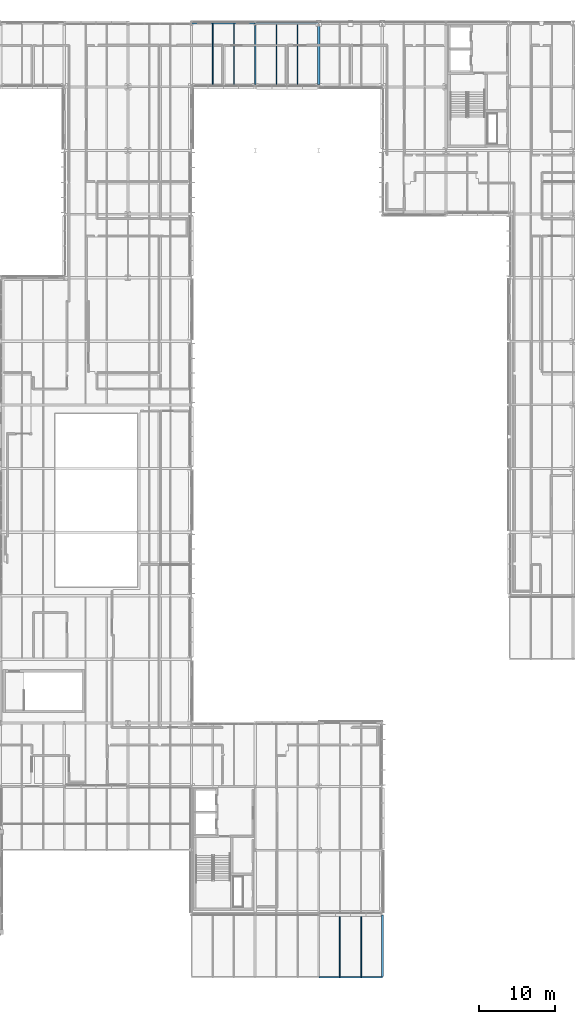
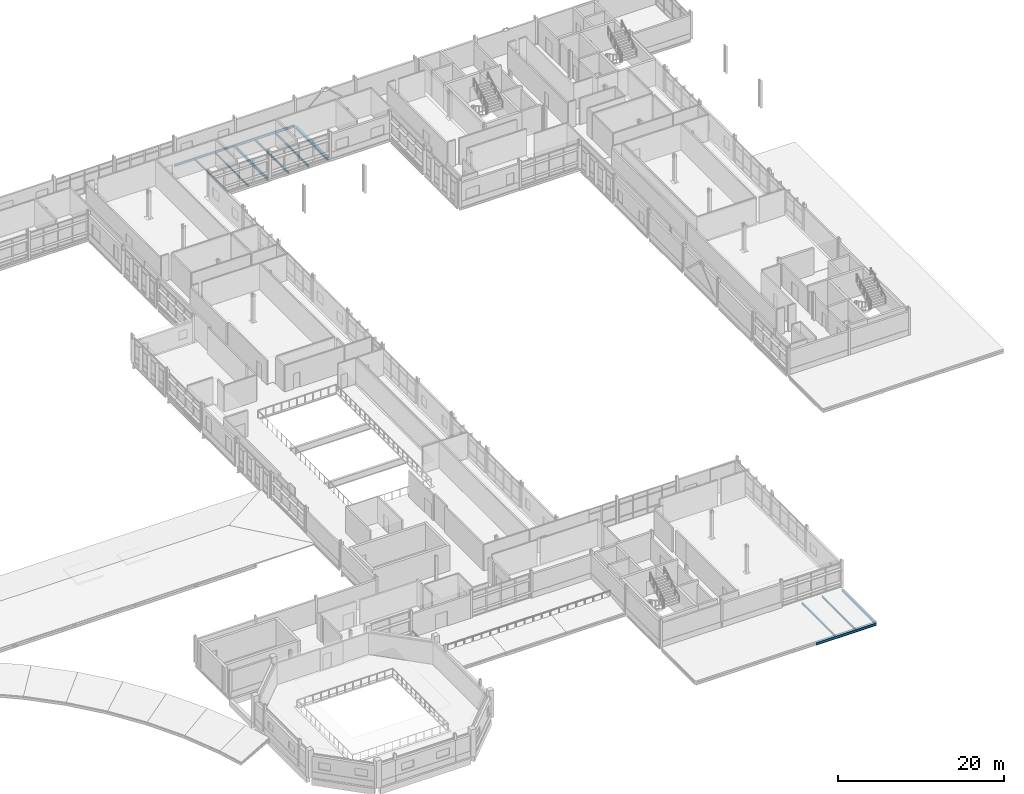
# One storey, part 86 of 151: 12 beams.
"""IFC4 building model written with IfcOpenShell, lengths in metres."""

from ifc_helpers import new_model, si_unit, direction, frame, origin, origin_2d, place, context, subcontext, project, spatial, i_section, extrude, material, material_profile, profile_set, type_object, element, save


model = new_model("IFC4")

# Units and contexts
model_context = context("Model", 3, precision=1e-05, world=origin(), true_north=direction((0.0, 1.0)))
body_context = subcontext(model_context, "Body", "Model", "MODEL_VIEW")
ifc_project = project(units=[si_unit("LENGTHUNIT", "METRE"), si_unit("AREAUNIT", "SQUARE_METRE"), si_unit("VOLUMEUNIT", "CUBIC_METRE"), si_unit("PLANEANGLEUNIT", "RADIAN"), si_unit("MASSUNIT", "GRAM", prefix="KILO")], contexts=[model_context])

# Site, building, storey
site_placement = place(None, origin())
site = spatial("IfcSite", under=ifc_project, at=site_placement, CompositionType="ELEMENT")
building_placement = place(site_placement, origin())
building = spatial("IfcBuilding", under=site, at=building_placement, Name="Mersafa Astral City Hall", CompositionType="ELEMENT")
storey_placement = place(building_placement, frame((0.0, 0.0, 9.89990234375)))
storey = spatial("IfcBuildingStorey", under=building, at=storey_placement, Name="L02", CompositionType="ELEMENT", Elevation=9.89990234375)

# Beams
ifc_material = material(Name="Steel S355", Category="steel")
ifc_material_profile_1 = material_profile(ifc_material, i_section(OverallWidth=0.300048828125, OverallDepth=0.35009765625, WebThickness=0.010009765625, FlangeThickness=0.017578125, FilletRadius=0.027099609375, at=origin_2d()), Name="HEA 360")
ifc_profile_set_1 = profile_set([ifc_material_profile_1], Name="Steel S355")
beam_type_1 = type_object("IfcBeamType", Name="STR-BM-HEA360", PredefinedType="BEAM", material=ifc_profile_set_1)
beam_1_placement = place(storey_placement, frame((134.39990234375, 117.89501953125, -0.375), z_axis=(0.0, 1.0, 0.0), x_axis=(-1.0, 0.0, 0.0)))
element("IfcBeam", 1, at=beam_1_placement, inside=storey, type_object=beam_type_1, Name="L02 Primary girder Y 16-14", PredefinedType="BEAM", context=body_context, shape_type="SweptSolid", body=[
    extrude(i_section(OverallWidth=0.300048828125, OverallDepth=0.35009765625, WebThickness=0.010009765625, FlangeThickness=0.017578125, FilletRadius=0.027099609375, at=origin_2d()), origin(), (0.0, 0.0, 1.0), 7.81005859375),
])
ifc_material_profile_2 = material_profile(ifc_material, i_section(OverallWidth=0.179931640625, OverallDepth=0.39990234375, WebThickness=0.008544921875, FlangeThickness=0.013427734375, FilletRadius=0.02099609375, at=origin_2d()), Name="IPE 400")
ifc_profile_set_2 = profile_set([ifc_material_profile_2], Name="Steel S355")
beam_type_2 = type_object("IfcBeamType", Name="STR-BM-IPE400", PredefinedType="BEAM", material=ifc_profile_set_2)
beam_2_placement = place(storey_placement, frame((126.0, 117.89501953125, -0.39990234375), z_axis=(0.0, 1.0, 0.0), x_axis=(-1.0, 0.0, 0.0)))
element("IfcBeam", 2, at=beam_2_placement, inside=storey, type_object=beam_type_2, Name="L02 Primary girder Y 15-14", PredefinedType="BEAM", context=body_context, shape_type="SweptSolid", body=[
    extrude(i_section(OverallWidth=0.179931640625, OverallDepth=0.39990234375, WebThickness=0.008544921875, FlangeThickness=0.013427734375, FilletRadius=0.02099609375, at=origin_2d()), origin(), (0.0, 0.0, 1.0), 7.81005859375),
])
ifc_material_profile_3 = material_profile(ifc_material, i_section(OverallWidth=0.110107421875, OverallDepth=0.219970703125, WebThickness=0.005859375, FlangeThickness=0.00927734375, FilletRadius=0.011962890625, at=origin_2d()), Name="IPE 220")
ifc_profile_set_3 = profile_set([ifc_material_profile_3], Name="Steel S355")
beam_type_3 = type_object("IfcBeamType", Name="STR-BM-JOIST-IPE220", PredefinedType="JOIST", material=ifc_profile_set_3)
for number, where, z_axis, x_axis, name in (
    (3, (120.39990234375, 117.679931640625, -0.309814453125), (0.0, 1.0, 0.0), (-1.0, 0.0, 0.0), "L02 Composite secondary floor joist 496"),
    (4, (123.199951171875, 117.679931640625, -0.309814453125), (0.0, 1.0, 0.0), (-1.0, 0.0, 0.0), "L02 Composite secondary floor joist 497"),
):
    element("IfcBeam", number, at=place(storey_placement, frame(where, z_axis=z_axis, x_axis=x_axis)), inside=storey, type_object=beam_type_3, Name=name, PredefinedType="JOIST", context=body_context, shape_type="SweptSolid", body=[
        extrude(i_section(OverallWidth=0.110107421875, OverallDepth=0.219970703125, WebThickness=0.005859375, FlangeThickness=0.00927734375, FilletRadius=0.011962890625, at=origin_2d()), origin(), (0.0, 0.0, 1.0), 8.2451171875),
    ])
ifc_material_profile_4 = material_profile(ifc_material, i_section(OverallWidth=0.135009765625, OverallDepth=0.27001953125, WebThickness=0.006591796875, FlangeThickness=0.01025390625, FilletRadius=0.014892578125, at=origin_2d()), Name="IPE 270")
ifc_profile_set_4 = profile_set([ifc_material_profile_4], Name="Steel S355")
beam_type_4 = type_object("IfcBeamType", Name="STR-BM-JOIST-IPE270", PredefinedType="JOIST", material=ifc_profile_set_4)
for number, where, z_axis, x_axis, name in (
    (5, (137.199951171875, 0.080078125, -0.3349609375), (0.0, 1.0, 0.0), (-1.0, 0.0, 0.0), "L02 Flat roof secondary joist 17"),
    (6, (140.0, 0.080078125, -0.3349609375), (0.0, 1.0, 0.0), (-1.0, 0.0, 0.0), "L02 Flat roof secondary joist 18"),
):
    element("IfcBeam", number, at=place(storey_placement, frame(where, z_axis=z_axis, x_axis=x_axis)), inside=storey, type_object=beam_type_4, Name=name, PredefinedType="JOIST", context=body_context, shape_type="SweptSolid", body=[
        extrude(i_section(OverallWidth=0.135009765625, OverallDepth=0.27001953125, WebThickness=0.006591796875, FlangeThickness=0.01025390625, FilletRadius=0.014892578125, at=origin_2d()), origin(), (0.0, 0.0, 1.0), 8.244873046875),
    ])
ifc_material_profile_5 = material_profile(ifc_material, i_section(OverallWidth=0.14990234375, OverallDepth=0.300048828125, WebThickness=0.007080078125, FlangeThickness=0.0107421875, FilletRadius=0.014892578125, at=origin_2d()), Name="IPE 300")
ifc_profile_set_5 = profile_set([ifc_material_profile_5], Name="Steel S355")
beam_type_5 = type_object("IfcBeamType", Name="STR-BM-JOIST-IPE300", PredefinedType="JOIST", material=ifc_profile_set_5)
for number, where, z_axis, x_axis, name in (
    (7, (128.800048828125, 117.675048828125, -0.349853515625), (0.0, 1.0, 0.0), (-1.0, 0.0, 0.0), "L02 Composite secondary floor joist 504"),
    (8, (131.60009765625, 117.675048828125, -0.349853515625), (0.0, 1.0, 0.0), (-1.0, 0.0, 0.0), "L02 Composite secondary floor joist 505"),
):
    element("IfcBeam", number, at=place(storey_placement, frame(where, z_axis=z_axis, x_axis=x_axis)), inside=storey, type_object=beam_type_5, Name=name, PredefinedType="JOIST", context=body_context, shape_type="SweptSolid", body=[
        extrude(i_section(OverallWidth=0.14990234375, OverallDepth=0.300048828125, WebThickness=0.007080078125, FlangeThickness=0.0107421875, FilletRadius=0.014892578125, at=origin_2d()), origin(), (0.0, 0.0, 1.0), 8.244873046875),
    ])
ifc_material_profile_6 = material_profile(ifc_material, i_section(OverallWidth=0.280029296875, OverallDepth=0.27001953125, WebThickness=0.008056640625, FlangeThickness=0.012939453125, FilletRadius=0.02392578125, at=origin_2d()), Name="HEA 280")
ifc_profile_set_6 = profile_set([ifc_material_profile_6], Name="Steel S355")
beam_type_6 = type_object("IfcBeamType", Name="STR-BM-SPANDREL-HEA280", PredefinedType="SPANDREL", material=ifc_profile_set_6)
beam_3_placement = place(storey_placement, frame((142.800048828125, 0.14501953125, -0.3349609375), z_axis=(0.0, 1.0, 0.0), x_axis=(-1.0, 0.0, 0.0)))
element("IfcBeam", 9, at=beam_3_placement, inside=storey, type_object=beam_type_6, Name="L02 Primary girder Y 17-0", PredefinedType="SPANDREL", context=body_context, shape_type="SweptSolid", body=[
    extrude(i_section(OverallWidth=0.280029296875, OverallDepth=0.27001953125, WebThickness=0.008056640625, FlangeThickness=0.012939453125, FilletRadius=0.02392578125, at=origin_2d()), origin(), (0.0, 0.0, 1.0), 8.080078125),
])
ifc_material_profile_7 = material_profile(ifc_material, i_section(OverallWidth=0.159912109375, OverallDepth=0.330078125, WebThickness=0.007568359375, FlangeThickness=0.011474609375, FilletRadius=0.01806640625, at=origin_2d()), Name="IPE 330")
ifc_profile_set_7 = profile_set([ifc_material_profile_7], Name="Steel S355")
beam_type_7 = type_object("IfcBeamType", Name="STR-BM-SPANDREL-IPE330", PredefinedType="SPANDREL", material=ifc_profile_set_7)
beam_4_placement = place(storey_placement, frame((117.60302734375, 126.0, -0.364990234375), z_axis=(1.0, 0.0, 0.0), x_axis=(0.0, 1.0, 0.0)))
element("IfcBeam", 10, at=beam_4_placement, inside=storey, type_object=beam_type_7, Name="L02 Primary girder X 14-15", PredefinedType="SPANDREL", context=body_context, shape_type="SweptSolid", body=[
    extrude(i_section(OverallWidth=0.159912109375, OverallDepth=0.330078125, WebThickness=0.007568359375, FlangeThickness=0.011474609375, FilletRadius=0.01806640625, at=origin_2d()), origin(), (0.0, 0.0, 1.0), 8.39404296875),
])
ifc_material_profile_8 = material_profile(ifc_material, i_section(OverallWidth=0.169921875, OverallDepth=0.360107421875, WebThickness=0.008056640625, FlangeThickness=0.0126953125, FilletRadius=0.01806640625, at=origin_2d()), Name="IPE 360")
ifc_profile_set_8 = profile_set([ifc_material_profile_8], Name="Steel S355")
beam_type_8 = type_object("IfcBeamType", Name="STR-BM-SPANDREL-IPE360", PredefinedType="SPANDREL", material=ifc_profile_set_8)
for number, where, z_axis, x_axis, name in (
    (11, (134.403076171875, 0.0, -0.3798828125), (1.0, 0.0, 0.0), (0.0, 1.0, 0.0), "L02 Primary girder X 16-0"),
    (12, (126.0029296875, 126.0, -0.3798828125), (1.0, 0.0, 0.0), (0.0, 1.0, 0.0), "L02 Primary girder X 15-15"),
):
    element("IfcBeam", number, at=place(storey_placement, frame(where, z_axis=z_axis, x_axis=x_axis)), inside=storey, type_object=beam_type_8, Name=name, PredefinedType="SPANDREL", context=body_context, shape_type="SweptSolid", body=[
        extrude(i_section(OverallWidth=0.169921875, OverallDepth=0.360107421875, WebThickness=0.008056640625, FlangeThickness=0.0126953125, FilletRadius=0.01806640625, at=origin_2d()), origin(), (0.0, 0.0, 1.0), 8.39404296875),
    ])

save(model, "model.ifc")
